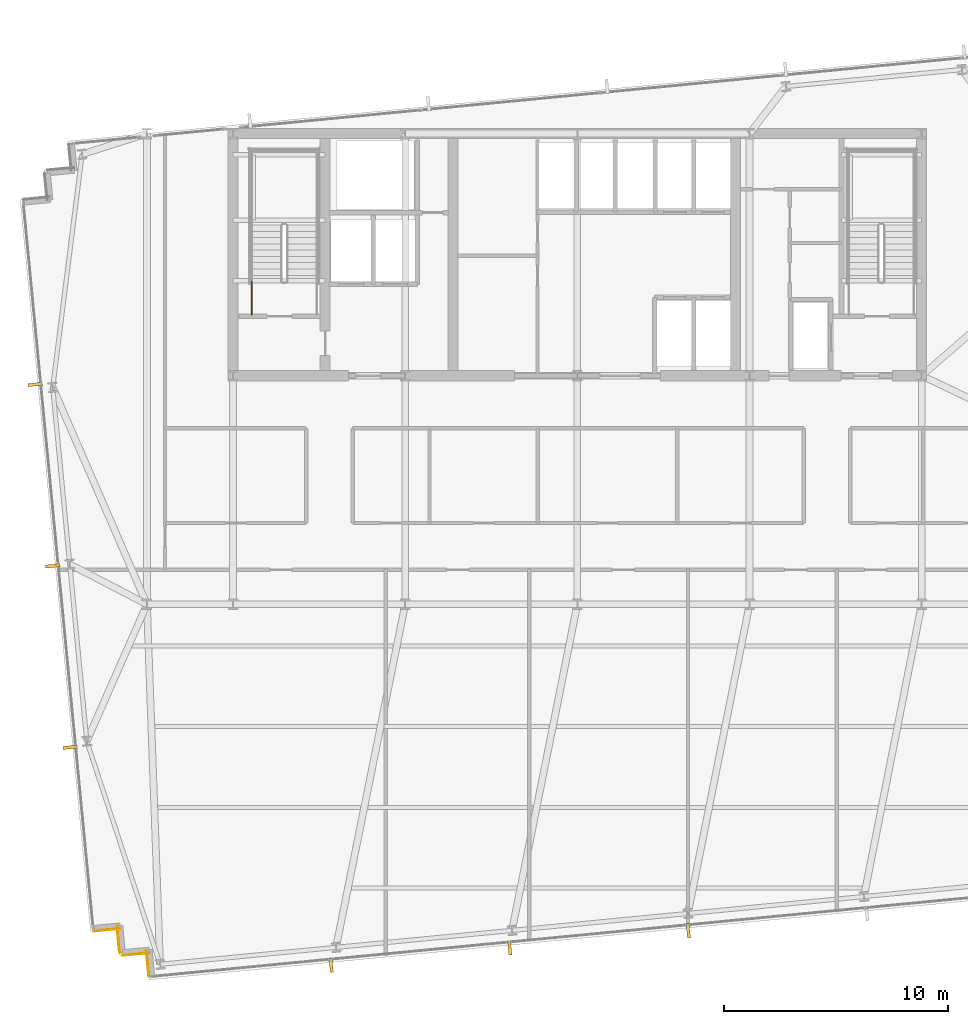
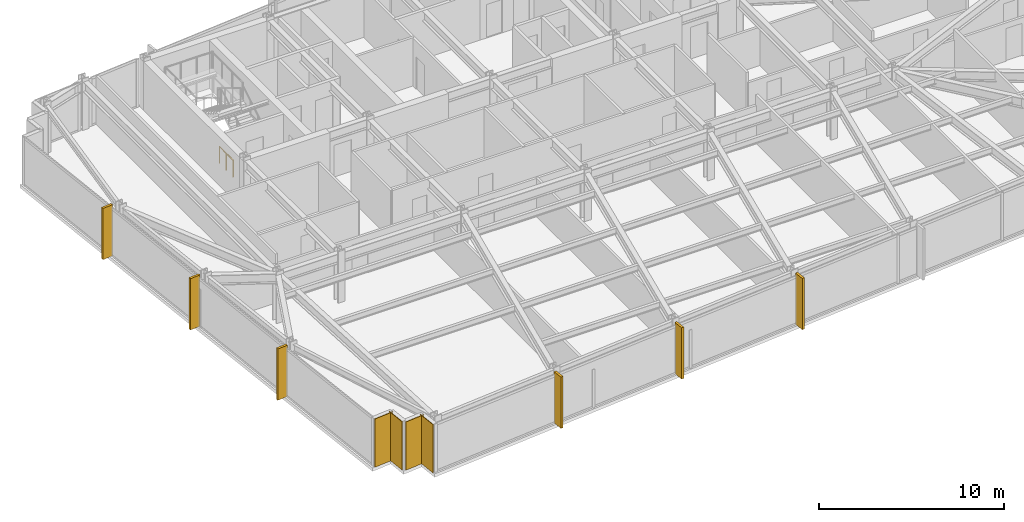
# One storey, part 28 of 33: 6 shading devices, 4 coverings, 1 railing.
"""IFC4 building model written with IfcOpenShell, lengths in metres."""

from ifc_helpers import new_model, si_unit, direction, frame, frame_2d, origin, origin_2d, place, context, subcontext, project, spatial, rectangle, circle, extrude, material, layer, layer_set, type_object, element, save


model = new_model("IFC4")

# Units and contexts
model_context = context("Model", 3, precision=1e-05, world=origin(), true_north=direction((0.0, 1.0)))
body_context = subcontext(model_context, "Body", "Model", "MODEL_VIEW")
ifc_project = project(units=[si_unit("LENGTHUNIT", "METRE"), si_unit("AREAUNIT", "SQUARE_METRE"), si_unit("VOLUMEUNIT", "CUBIC_METRE"), si_unit("PLANEANGLEUNIT", "RADIAN"), si_unit("MASSUNIT", "GRAM", prefix="KILO")], contexts=[model_context])

# Site, building, storey
site_placement = place(None, origin())
site = spatial("IfcSite", under=ifc_project, at=site_placement, CompositionType="ELEMENT")
building_placement = place(site_placement, origin())
building = spatial("IfcBuilding", under=site, at=building_placement, Name="Yelkora Congress Tower", CompositionType="ELEMENT")
storey_placement = place(building_placement, frame((0.0, 0.0, 110.10009765625)))
storey = spatial("IfcBuildingStorey", under=building, at=storey_placement, Name="L29", CompositionType="ELEMENT", Elevation=110.10009765625)

# Coverings
ifc_material_1 = material(Name="Anatolian bush-hammered limestone", Category="masonry")
ifc_layer_1 = layer(ifc_material_1, 0.0400390625)
ifc_layer_set_1 = layer_set([ifc_layer_1], Name="Anatolian bush-hammered limestone")
covering_type = type_object("IfcCoveringType", Name="COV-CLAD-SPANDREL-40", PredefinedType="CLADDING", material=ifc_layer_set_1)
covering_1_placement = place(storey_placement, frame((19.29248046875, 8.58447265625, 0.0), z_axis=(0.0, 0.0, 1.0), x_axis=(-0.095836473879, 0.995397091755, 0.0)))
element("IfcCovering", 1, at=covering_1_placement, inside=storey, type_object=covering_type, Name="L29 Anatolian Limestone Cladding EW-L29-SR01", PredefinedType="CLADDING", context=body_context, shape_type="SweptSolid", body=[
    extrude(rectangle(XDim=1.199951171875, YDim=0.0400390625, at=frame_2d((0.60009765625, 0.0))), origin(), (0.0, 0.0, 1.0), 3.179931640625),
])
for number, where, z_axis, x_axis, name in (
    (2, (19.32470703125, 9.657470703125, 0.0), (0.0, 0.0, 1.0), (-0.995398960025, -0.095817067274, 0.0), "L29 Anatolian Limestone Cladding EW-L29-SR02"),
    (3, (17.98291015625, 9.663818359375, 0.0), (0.0, 0.0, 1.0), (-0.095817067274, 0.995398960025, 0.0), "L29 Anatolian Limestone Cladding EW-L29-SR03"),
):
    element("IfcCovering", number, at=place(storey_placement, frame(where, z_axis=z_axis, x_axis=x_axis)), inside=storey, type_object=covering_type, Name=name, PredefinedType="CLADDING", context=body_context, shape_type="SweptSolid", body=[
        extrude(rectangle(XDim=1.2001953125, YDim=0.0400390625, at=frame_2d((0.60009765625, 0.0))), origin(), (0.0, 0.0, 1.0), 3.179931640625),
    ])
covering_2_placement = place(storey_placement, frame((18.01513671875, 10.737060546875, 0.0), z_axis=(0.0, 0.0, 1.0), x_axis=(-0.995397091755, -0.095836473879, 0.0)))
element("IfcCovering", 4, at=covering_2_placement, inside=storey, type_object=covering_type, Name="L29 Anatolian Limestone Cladding EW-L29-SR04", PredefinedType="CLADDING", context=body_context, shape_type="SweptSolid", body=[
    extrude(rectangle(XDim=1.199951171875, YDim=0.0400390625, at=frame_2d((0.60009765625, 0.0))), origin(), (0.0, 0.0, 1.0), 3.179931640625),
])

# Railing
ifc_material_2 = material(Name="Painted galvanised steel stair well guard with vertical infill", Category="steel")
ifc_layer_2 = layer(ifc_material_2, 0.06005859375)
ifc_layer_set_2 = layer_set([ifc_layer_2], Name="Painted galvanised steel stair well guard with vertical infill")
railing_type = type_object("IfcRailingType", Name="RAIL-STAIR-GUARD-1120", PredefinedType="GUARDRAIL", material=ifc_layer_set_2)
railing_placement = place(storey_placement, frame((23.8701171875, 38.1201171875, 0.0)))
element("IfcRailing", 5, at=railing_placement, inside=storey, type_object=railing_type, Name="ST-01 L29 Stair Well Guardrail 9", PredefinedType="GUARDRAIL", context=body_context, shape_type="SweptSolid", body=[
    extrude(circle(Radius=0.02392578125, at=origin_2d()), frame((0.0, 0.0, 1.09619140625), z_axis=(0.0, 1.0, 0.0), x_axis=(-1.0, 0.0, 0.0)), (0.0, 0.0, 1.0), 1.47998046875),
    extrude(circle(Radius=0.02099609375, at=origin_2d()), origin(), (0.0, 0.0, 1.0), 1.072021484375),
    extrude(circle(Radius=0.02099609375, at=origin_2d()), frame((0.0, 0.739990234375, 0.0)), (0.0, 0.0, 1.0), 1.072021484375),
    extrude(circle(Radius=0.02099609375, at=origin_2d()), frame((0.0, 1.47998046875, 0.0)), (0.0, 0.0, 1.0), 1.072021484375),
])

# Shading devices
ifc_material_3 = material(Name="Champagne anodised aluminium", Category="aluminium")
ifc_layer_3 = layer(ifc_material_3, 3.39990234375)
ifc_layer_set_3 = layer_set([ifc_layer_3], Name="Champagne anodised aluminium")
shading_device_type = type_object("IfcShadingDeviceType", Name="SHD-FIN-ALU-640", PredefinedType="USERDEFINED", material=ifc_layer_set_3)
for number, where, z_axis, x_axis, name in (
    (6, (15.769775390625, 18.823974609375, -0.030029296875), (0.0, 0.0, 1.0), (-0.09584575252, 0.995396198367, 0.0), "L29 Vertical Anodised Solar Fin 5-1"),
    (7, (14.990478515625, 26.91650390625, -0.030029296875), (0.0, 0.0, 1.0), (-0.09584575252, 0.995396198367, 0.0), "L29 Vertical Anodised Solar Fin 5-2"),
    (8, (14.211181640625, 35.00927734375, -0.030029296875), (0.0, 0.0, 1.0), (-0.09584575252, 0.995396198367, 0.0), "L29 Vertical Anodised Solar Fin 5-3"),
    (9, (43.349609375, 10.639892578125, -0.030029296875), (0.0, 0.0, 1.0), (-0.995396198367, -0.09584575252, 0.0), "L29 Vertical Anodised Solar Fin 20-4"),
    (10, (35.3837890625, 9.872802734375, -0.030029296875), (0.0, 0.0, 1.0), (-0.995396198367, -0.09584575252, 0.0), "L29 Vertical Anodised Solar Fin 20-5"),
    (11, (27.417724609375, 9.105712890625, -0.030029296875), (0.0, 0.0, 1.0), (-0.995396198367, -0.09584575252, 0.0), "L29 Vertical Anodised Solar Fin 20-6"),
):
    element("IfcShadingDevice", number, at=place(storey_placement, frame(where, z_axis=z_axis, x_axis=x_axis)), inside=storey, type_object=shading_device_type, Name=name, ObjectType="FIN", PredefinedType="USERDEFINED", context=body_context, shape_type="SweptSolid", body=[
        extrude(rectangle(XDim=0.139892578125, YDim=0.639892578125, at=origin_2d()), origin(), (0.0, 0.0, 1.0), 3.3798828125),
    ])

save(model, "model.ifc")
